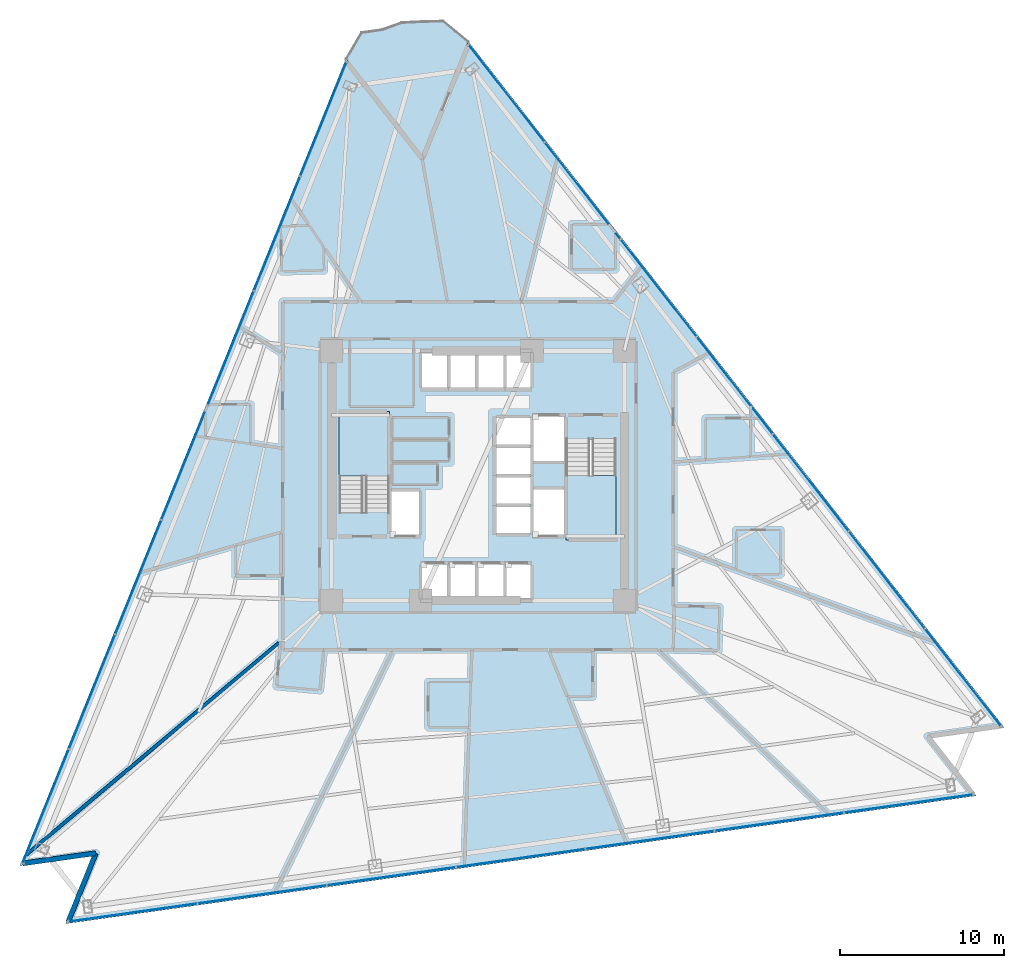
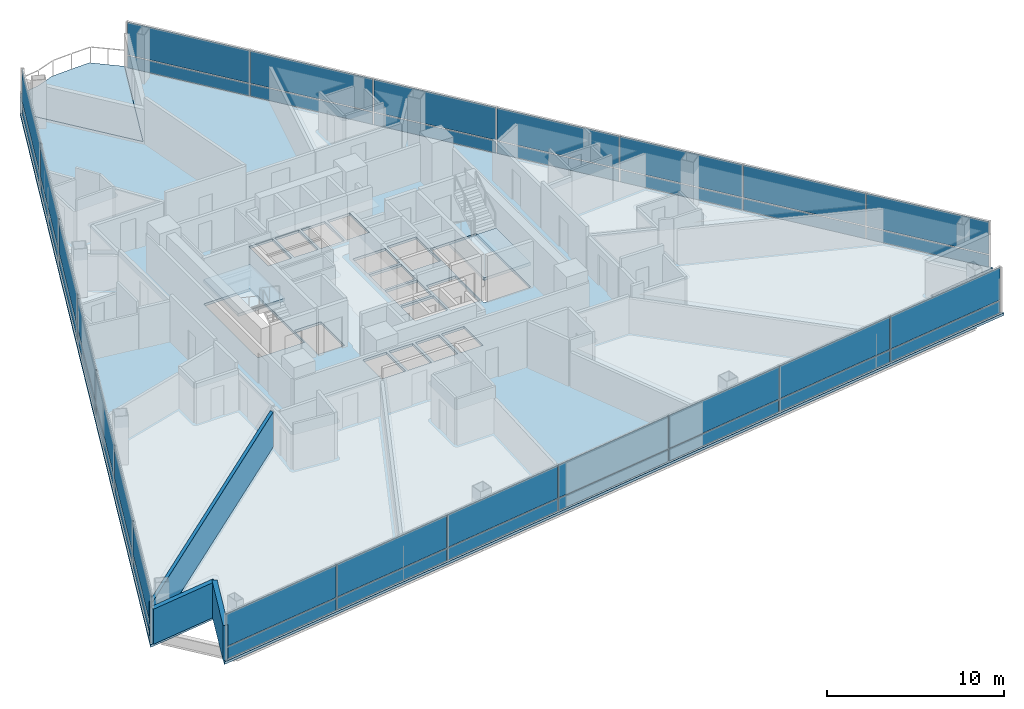
# One storey, part 6 of 15: 42 plates, 4 slabs, 3 walls, 5 elements without a shape of their own.
"""IFC4 building model written with IfcOpenShell, lengths in metres."""

from ifc_helpers import new_model, si_unit, direction, frame, frame_2d, origin, origin_2d, place, context, subcontext, project, spatial, polyline, rectangle, outline, extrude, material, layer, layer_set, type_object, element, aggregate, save


model = new_model("IFC4")

# Units and contexts
model_context = context("Model", 3, precision=1e-05, world=origin(), true_north=direction((0.0, 1.0)))
body_context = subcontext(model_context, "Body", "Model", "MODEL_VIEW")
ifc_project = project(units=[si_unit("LENGTHUNIT", "METRE"), si_unit("AREAUNIT", "SQUARE_METRE"), si_unit("VOLUMEUNIT", "CUBIC_METRE"), si_unit("PLANEANGLEUNIT", "RADIAN"), si_unit("MASSUNIT", "GRAM", prefix="KILO")], contexts=[model_context])

# Site, building, storey
site_placement = place(None, origin())
site = spatial("IfcSite", under=ifc_project, at=site_placement, CompositionType="ELEMENT")
building_placement = place(site_placement, origin())
building = spatial("IfcBuilding", under=site, at=building_placement, Name="Tharavind Bronze Gate", CompositionType="ELEMENT")
storey_placement = place(building_placement, frame((0.0, 0.0, 60.449951171875)))
storey = spatial("IfcBuildingStorey", under=building, at=storey_placement, Name="L14", CompositionType="ELEMENT", Elevation=60.449951171875)

# Curtain wall, plates
ifc_material_1 = material(Name="Anodised Bronze Aluminium", Category="aluminium")
ifc_layer_1 = layer(ifc_material_1, 0.219970703125)
ifc_layer_set_1 = layer_set([ifc_layer_1], Name="Anodised Bronze Aluminium")
curtain_wall_type = type_object("IfcCurtainWallType", Name="UNITISED CURTAIN WALL HOTEL", PredefinedType="USERDEFINED", material=ifc_layer_set_1)
curtain_wall_1_placement = place(storey_placement, origin())
curtain_wall_1 = element("IfcCurtainWall", 1, at=curtain_wall_1_placement, inside=storey, type_object=curtain_wall_type, Name="L14 unitised curtain wall hotel CW-L14-S1", ObjectType="UNITISED CURTAIN WALL", PredefinedType="USERDEFINED")
ifc_material_2 = material(Name="Patinated Bronze Alloy Sheet", Category="bronze")
ifc_layer_2 = layer(ifc_material_2, 0.01611328125)
ifc_layer_set_2 = layer_set([ifc_layer_2], Name="Patinated Bronze Alloy Sheet")
plate_type_1 = type_object("IfcPlateType", Name="BRONZE SPANDREL CLADDING PANEL 16", PredefinedType="CURTAIN_PANEL", material=ifc_layer_set_2)
plate_1_placement = place(storey_placement, frame((-9.408203125, 21.69921875, 0.033935546875), z_axis=(0.0, 0.0, 1.0), x_axis=(-0.374606593416, -0.927183854567, 0.0)))
plate_1 = element("IfcPlate", 2, at=plate_1_placement, type_object=plate_type_1, Name="CW-L14-S1 bronze spandrel panel 1", PredefinedType="CURTAIN_PANEL", context=body_context, shape_type="SweptSolid", body=[
    extrude(rectangle(XDim=7.447021484375, YDim=0.01611328125, at=origin_2d()), origin(), (0.0, 0.0, 1.0), 0.83203125),
])
plate_2_placement = place(storey_placement, frame((-12.223388671875, 14.731201171875, 0.033935546875), z_axis=(0.0, 0.0, 1.0), x_axis=(-0.374606593416, -0.927183854567, 0.0)))
plate_2 = element("IfcPlate", 3, at=plate_2_placement, type_object=plate_type_1, Name="CW-L14-S1 bronze spandrel panel 2", PredefinedType="CURTAIN_PANEL", context=body_context, shape_type="SweptSolid", body=[
    extrude(rectangle(XDim=7.447021484375, YDim=0.01611328125, at=origin_2d()), origin(), (0.0, 0.0, 1.0), 0.83203125),
])
plate_3_placement = place(storey_placement, frame((-15.038818359375, 7.763427734375, 0.033935546875), z_axis=(0.0, 0.0, 1.0), x_axis=(-0.374606593416, -0.927183854567, 0.0)))
plate_3 = element("IfcPlate", 4, at=plate_3_placement, type_object=plate_type_1, Name="CW-L14-S1 bronze spandrel panel 3", PredefinedType="CURTAIN_PANEL", context=body_context, shape_type="SweptSolid", body=[
    extrude(rectangle(XDim=7.447021484375, YDim=0.01611328125, at=origin_2d()), origin(), (0.0, 0.0, 1.0), 0.83203125),
])
plate_4_placement = place(storey_placement, frame((-17.85400390625, 0.795654296875, 0.033935546875), z_axis=(0.0, 0.0, 1.0), x_axis=(-0.374606593416, -0.927183854567, 0.0)))
plate_4 = element("IfcPlate", 5, at=plate_4_placement, type_object=plate_type_1, Name="CW-L14-S1 bronze spandrel panel 4", PredefinedType="CURTAIN_PANEL", context=body_context, shape_type="SweptSolid", body=[
    extrude(rectangle(XDim=7.447021484375, YDim=0.01611328125, at=origin_2d()), origin(), (0.0, 0.0, 1.0), 0.83203125),
])
plate_5_placement = place(storey_placement, frame((-20.669189453125, -6.17236328125, 0.033935546875), z_axis=(0.0, 0.0, 1.0), x_axis=(-0.374606593416, -0.927183854567, 0.0)))
plate_5 = element("IfcPlate", 6, at=plate_5_placement, type_object=plate_type_1, Name="CW-L14-S1 bronze spandrel panel 5", PredefinedType="CURTAIN_PANEL", context=body_context, shape_type="SweptSolid", body=[
    extrude(rectangle(XDim=7.447021484375, YDim=0.01611328125, at=origin_2d()), origin(), (0.0, 0.0, 1.0), 0.83203125),
])
plate_6_placement = place(storey_placement, frame((-23.484375, -13.14013671875, 0.033935546875), z_axis=(0.0, 0.0, 1.0), x_axis=(-0.374606593416, -0.927183854567, 0.0)))
plate_6 = element("IfcPlate", 7, at=plate_6_placement, type_object=plate_type_1, Name="CW-L14-S1 bronze spandrel panel 6", PredefinedType="CURTAIN_PANEL", context=body_context, shape_type="SweptSolid", body=[
    extrude(rectangle(XDim=7.447021484375, YDim=0.01611328125, at=origin_2d()), origin(), (0.0, 0.0, 1.0), 0.83203125),
])
plate_7_placement = place(storey_placement, frame((-26.299560546875, -20.10791015625, 0.033935546875), z_axis=(0.0, 0.0, 1.0), x_axis=(-0.374606593416, -0.927183854567, 0.0)))
plate_7 = element("IfcPlate", 8, at=plate_7_placement, type_object=plate_type_1, Name="CW-L14-S1 bronze spandrel panel 7", PredefinedType="CURTAIN_PANEL", context=body_context, shape_type="SweptSolid", body=[
    extrude(rectangle(XDim=7.447021484375, YDim=0.01611328125, at=origin_2d()), origin(), (0.0, 0.0, 1.0), 0.83203125),
])

curtain_wall_2_placement = place(storey_placement, origin())
curtain_wall_2 = element("IfcCurtainWall", 9, at=curtain_wall_2_placement, inside=storey, type_object=curtain_wall_type, Name="L14 unitised curtain wall hotel CW-L14-S2", ObjectType="UNITISED CURTAIN WALL", PredefinedType="USERDEFINED")
plate_8_placement = place(storey_placement, frame((-21.00341796875, -26.585205078125, 0.033935546875), z_axis=(0.0, 0.0, 1.0), x_axis=(0.990268068742, 0.13917310096, 0.0)))
plate_8 = element("IfcPlate", 10, at=plate_8_placement, type_object=plate_type_1, Name="CW-L14-S2 bronze spandrel panel 1", PredefinedType="CURTAIN_PANEL", context=body_context, shape_type="SweptSolid", body=[
    extrude(rectangle(XDim=7.87548828125, YDim=0.01611328125, at=origin_2d()), origin(), (0.0, 0.0, 1.0), 0.83203125),
])
plate_9_placement = place(storey_placement, frame((-13.13720703125, -25.4794921875, 0.033935546875), z_axis=(0.0, 0.0, 1.0), x_axis=(0.990268068742, 0.13917310096, 0.0)))
plate_9 = element("IfcPlate", 11, at=plate_9_placement, type_object=plate_type_1, Name="CW-L14-S2 bronze spandrel panel 2", PredefinedType="CURTAIN_PANEL", context=body_context, shape_type="SweptSolid", body=[
    extrude(rectangle(XDim=7.87548828125, YDim=0.01611328125, at=origin_2d()), origin(), (0.0, 0.0, 1.0), 0.83203125),
])
plate_10_placement = place(storey_placement, frame((-5.270751953125, -24.3740234375, 0.033935546875), z_axis=(0.0, 0.0, 1.0), x_axis=(0.990268068742, 0.13917310096, 0.0)))
plate_10 = element("IfcPlate", 12, at=plate_10_placement, type_object=plate_type_1, Name="CW-L14-S2 bronze spandrel panel 3", PredefinedType="CURTAIN_PANEL", context=body_context, shape_type="SweptSolid", body=[
    extrude(rectangle(XDim=7.87548828125, YDim=0.01611328125, at=origin_2d()), origin(), (0.0, 0.0, 1.0), 0.83203125),
])
plate_11_placement = place(storey_placement, frame((2.595703125, -23.2685546875, 0.033935546875), z_axis=(0.0, 0.0, 1.0), x_axis=(0.990268068742, 0.13917310096, 0.0)))
plate_11 = element("IfcPlate", 13, at=plate_11_placement, type_object=plate_type_1, Name="CW-L14-S2 bronze spandrel panel 4", PredefinedType="CURTAIN_PANEL", context=body_context, shape_type="SweptSolid", body=[
    extrude(rectangle(XDim=7.87548828125, YDim=0.01611328125, at=origin_2d()), origin(), (0.0, 0.0, 1.0), 0.83203125),
])
plate_12_placement = place(storey_placement, frame((10.4619140625, -22.1630859375, 0.033935546875), z_axis=(0.0, 0.0, 1.0), x_axis=(0.990268068742, 0.13917310096, 0.0)))
plate_12 = element("IfcPlate", 14, at=plate_12_placement, type_object=plate_type_1, Name="CW-L14-S2 bronze spandrel panel 5", PredefinedType="CURTAIN_PANEL", context=body_context, shape_type="SweptSolid", body=[
    extrude(rectangle(XDim=7.87548828125, YDim=0.01611328125, at=origin_2d()), origin(), (0.0, 0.0, 1.0), 0.83203125),
])
plate_13_placement = place(storey_placement, frame((18.328369140625, -21.057373046875, 0.033935546875), z_axis=(0.0, 0.0, 1.0), x_axis=(0.990268068742, 0.13917310096, 0.0)))
plate_13 = element("IfcPlate", 15, at=plate_13_placement, type_object=plate_type_1, Name="CW-L14-S2 bronze spandrel panel 6", PredefinedType="CURTAIN_PANEL", context=body_context, shape_type="SweptSolid", body=[
    extrude(rectangle(XDim=7.87548828125, YDim=0.01611328125, at=origin_2d()), origin(), (0.0, 0.0, 1.0), 0.83203125),
])
plate_14_placement = place(storey_placement, frame((26.194580078125, -19.951904296875, 0.033935546875), z_axis=(0.0, 0.0, 1.0), x_axis=(0.990268068742, 0.13917310096, 0.0)))
plate_14 = element("IfcPlate", 16, at=plate_14_placement, type_object=plate_type_1, Name="CW-L14-S2 bronze spandrel panel 7", PredefinedType="CURTAIN_PANEL", context=body_context, shape_type="SweptSolid", body=[
    extrude(rectangle(XDim=7.87548828125, YDim=0.01611328125, at=origin_2d()), origin(), (0.0, 0.0, 1.0), 0.83203125),
])

curtain_wall_3_placement = place(storey_placement, origin())
curtain_wall_3 = element("IfcCurtainWall", 17, at=curtain_wall_3_placement, inside=storey, type_object=curtain_wall_type, Name="L14 unitised curtain wall hotel CW-L14-S3", ObjectType="UNITISED CURTAIN WALL", PredefinedType="USERDEFINED")
plate_15_placement = place(storey_placement, frame((29.5, -12.265869140625, 0.033935546875), z_axis=(0.0, 0.0, 1.0), x_axis=(-0.615661475326, 0.788010753607, 0.0)))
plate_15 = element("IfcPlate", 18, at=plate_15_placement, type_object=plate_type_1, Name="CW-L14-S3 bronze spandrel panel 1", PredefinedType="CURTAIN_PANEL", context=body_context, shape_type="SweptSolid", body=[
    extrude(rectangle(XDim=7.447021484375, YDim=0.01611328125, at=origin_2d()), origin(), (0.0, 0.0, 1.0), 0.83203125),
])
plate_16_placement = place(storey_placement, frame((24.873291015625, -6.343994140625, 0.033935546875), z_axis=(0.0, 0.0, 1.0), x_axis=(-0.615661475326, 0.788010753607, 0.0)))
plate_16 = element("IfcPlate", 19, at=plate_16_placement, type_object=plate_type_1, Name="CW-L14-S3 bronze spandrel panel 2", PredefinedType="CURTAIN_PANEL", context=body_context, shape_type="SweptSolid", body=[
    extrude(rectangle(XDim=7.447021484375, YDim=0.01611328125, at=origin_2d()), origin(), (0.0, 0.0, 1.0), 0.83203125),
])
plate_17_placement = place(storey_placement, frame((20.24658203125, -0.421875, 0.033935546875), z_axis=(0.0, 0.0, 1.0), x_axis=(-0.615661475326, 0.788010753607, 0.0)))
plate_17 = element("IfcPlate", 20, at=plate_17_placement, type_object=plate_type_1, Name="CW-L14-S3 bronze spandrel panel 3", PredefinedType="CURTAIN_PANEL", context=body_context, shape_type="SweptSolid", body=[
    extrude(rectangle(XDim=7.447021484375, YDim=0.01611328125, at=origin_2d()), origin(), (0.0, 0.0, 1.0), 0.83203125),
])
plate_18_placement = place(storey_placement, frame((15.619873046875, 5.5, 0.033935546875), z_axis=(0.0, 0.0, 1.0), x_axis=(-0.615661475326, 0.788010753607, 0.0)))
plate_18 = element("IfcPlate", 21, at=plate_18_placement, type_object=plate_type_1, Name="CW-L14-S3 bronze spandrel panel 4", PredefinedType="CURTAIN_PANEL", context=body_context, shape_type="SweptSolid", body=[
    extrude(rectangle(XDim=7.447021484375, YDim=0.01611328125, at=origin_2d()), origin(), (0.0, 0.0, 1.0), 0.83203125),
])
plate_19_placement = place(storey_placement, frame((10.9931640625, 11.422119140625, 0.033935546875), z_axis=(0.0, 0.0, 1.0), x_axis=(-0.615661475326, 0.788010753607, 0.0)))
plate_19 = element("IfcPlate", 22, at=plate_19_placement, type_object=plate_type_1, Name="CW-L14-S3 bronze spandrel panel 5", PredefinedType="CURTAIN_PANEL", context=body_context, shape_type="SweptSolid", body=[
    extrude(rectangle(XDim=7.447021484375, YDim=0.01611328125, at=origin_2d()), origin(), (0.0, 0.0, 1.0), 0.83203125),
])
plate_20_placement = place(storey_placement, frame((6.366455078125, 17.343994140625, 0.033935546875), z_axis=(0.0, 0.0, 1.0), x_axis=(-0.615661475326, 0.788010753607, 0.0)))
plate_20 = element("IfcPlate", 23, at=plate_20_placement, type_object=plate_type_1, Name="CW-L14-S3 bronze spandrel panel 6", PredefinedType="CURTAIN_PANEL", context=body_context, shape_type="SweptSolid", body=[
    extrude(rectangle(XDim=7.447021484375, YDim=0.01611328125, at=origin_2d()), origin(), (0.0, 0.0, 1.0), 0.83203125),
])
plate_21_placement = place(storey_placement, frame((1.73974609375, 23.265869140625, 0.033935546875), z_axis=(0.0, 0.0, 1.0), x_axis=(-0.615661475326, 0.788010753607, 0.0)))
plate_21 = element("IfcPlate", 24, at=plate_21_placement, type_object=plate_type_1, Name="CW-L14-S3 bronze spandrel panel 7", PredefinedType="CURTAIN_PANEL", context=body_context, shape_type="SweptSolid", body=[
    extrude(rectangle(XDim=7.447021484375, YDim=0.01611328125, at=origin_2d()), origin(), (0.0, 0.0, 1.0), 0.83203125),
])

# Plate
ifc_material_3 = material(Name="Low-E Double Glazing", Category="glass")
ifc_layer_3 = layer(ifc_material_3, 0.031982421875)
ifc_layer_set_3 = layer_set([ifc_layer_3], Name="Low-E Double Glazing")
plate_type_2 = type_object("IfcPlateType", Name="DOUBLE GLAZED FACADE PANEL 32", PredefinedType="CURTAIN_PANEL", material=ifc_layer_set_3)
plate_22_placement = place(storey_placement, frame((-9.408203125, 21.69921875, 0.93408203125), z_axis=(0.0, 0.0, 1.0), x_axis=(-0.374606593416, -0.927183854567, 0.0)))
plate_22 = element("IfcPlate", 25, at=plate_22_placement, type_object=plate_type_2, Name="CW-L14-S1 vision glazing panel 1", PredefinedType="CURTAIN_PANEL", context=body_context, shape_type="SweptSolid", body=[
    extrude(rectangle(XDim=7.447021484375, YDim=0.031982421875, at=origin_2d()), origin(), (0.0, 0.0, 1.0), 2.257080078125),
])

plate_23_placement = place(storey_placement, frame((-12.223388671875, 14.731201171875, 0.93408203125), z_axis=(0.0, 0.0, 1.0), x_axis=(-0.374606593416, -0.927183854567, 0.0)))
plate_23 = element("IfcPlate", 26, at=plate_23_placement, type_object=plate_type_2, Name="CW-L14-S1 vision glazing panel 2", PredefinedType="CURTAIN_PANEL", context=body_context, shape_type="SweptSolid", body=[
    extrude(rectangle(XDim=7.447021484375, YDim=0.031982421875, at=origin_2d()), origin(), (0.0, 0.0, 1.0), 2.257080078125),
])

plate_24_placement = place(storey_placement, frame((-15.038818359375, 7.763427734375, 0.93408203125), z_axis=(0.0, 0.0, 1.0), x_axis=(-0.374606593416, -0.927183854567, 0.0)))
plate_24 = element("IfcPlate", 27, at=plate_24_placement, type_object=plate_type_2, Name="CW-L14-S1 vision glazing panel 3", PredefinedType="CURTAIN_PANEL", context=body_context, shape_type="SweptSolid", body=[
    extrude(rectangle(XDim=7.447021484375, YDim=0.031982421875, at=origin_2d()), origin(), (0.0, 0.0, 1.0), 2.257080078125),
])

plate_25_placement = place(storey_placement, frame((-17.85400390625, 0.795654296875, 0.93408203125), z_axis=(0.0, 0.0, 1.0), x_axis=(-0.374606593416, -0.927183854567, 0.0)))
plate_25 = element("IfcPlate", 28, at=plate_25_placement, type_object=plate_type_2, Name="CW-L14-S1 vision glazing panel 4", PredefinedType="CURTAIN_PANEL", context=body_context, shape_type="SweptSolid", body=[
    extrude(rectangle(XDim=7.447021484375, YDim=0.031982421875, at=origin_2d()), origin(), (0.0, 0.0, 1.0), 2.257080078125),
])

plate_26_placement = place(storey_placement, frame((-20.669189453125, -6.17236328125, 0.93408203125), z_axis=(0.0, 0.0, 1.0), x_axis=(-0.374606593416, -0.927183854567, 0.0)))
plate_26 = element("IfcPlate", 29, at=plate_26_placement, type_object=plate_type_2, Name="CW-L14-S1 vision glazing panel 5", PredefinedType="CURTAIN_PANEL", context=body_context, shape_type="SweptSolid", body=[
    extrude(rectangle(XDim=7.447021484375, YDim=0.031982421875, at=origin_2d()), origin(), (0.0, 0.0, 1.0), 2.257080078125),
])

plate_27_placement = place(storey_placement, frame((-23.484375, -13.14013671875, 0.93408203125), z_axis=(0.0, 0.0, 1.0), x_axis=(-0.374606593416, -0.927183854567, 0.0)))
plate_27 = element("IfcPlate", 30, at=plate_27_placement, type_object=plate_type_2, Name="CW-L14-S1 vision glazing panel 6", PredefinedType="CURTAIN_PANEL", context=body_context, shape_type="SweptSolid", body=[
    extrude(rectangle(XDim=7.447021484375, YDim=0.031982421875, at=origin_2d()), origin(), (0.0, 0.0, 1.0), 2.257080078125),
])

plate_28_placement = place(storey_placement, frame((-26.299560546875, -20.10791015625, 0.93408203125), z_axis=(0.0, 0.0, 1.0), x_axis=(-0.374606593416, -0.927183854567, 0.0)))
plate_28 = element("IfcPlate", 31, at=plate_28_placement, type_object=plate_type_2, Name="CW-L14-S1 vision glazing panel 7", PredefinedType="CURTAIN_PANEL", context=body_context, shape_type="SweptSolid", body=[
    extrude(rectangle(XDim=7.447021484375, YDim=0.031982421875, at=origin_2d()), origin(), (0.0, 0.0, 1.0), 2.257080078125),
])

aggregate(curtain_wall_1, [plate_1, plate_22, plate_2, plate_23, plate_3, plate_24, plate_4, plate_25, plate_5, plate_26, plate_6, plate_27, plate_7, plate_28])

plate_29_placement = place(storey_placement, frame((-21.00341796875, -26.585205078125, 0.93408203125), z_axis=(0.0, 0.0, 1.0), x_axis=(0.990268068742, 0.13917310096, 0.0)))
plate_29 = element("IfcPlate", 32, at=plate_29_placement, type_object=plate_type_2, Name="CW-L14-S2 vision glazing panel 1", PredefinedType="CURTAIN_PANEL", context=body_context, shape_type="SweptSolid", body=[
    extrude(rectangle(XDim=7.87548828125, YDim=0.031982421875, at=origin_2d()), origin(), (0.0, 0.0, 1.0), 2.257080078125),
])

plate_30_placement = place(storey_placement, frame((-13.13720703125, -25.4794921875, 0.93408203125), z_axis=(0.0, 0.0, 1.0), x_axis=(0.990268068742, 0.13917310096, 0.0)))
plate_30 = element("IfcPlate", 33, at=plate_30_placement, type_object=plate_type_2, Name="CW-L14-S2 vision glazing panel 2", PredefinedType="CURTAIN_PANEL", context=body_context, shape_type="SweptSolid", body=[
    extrude(rectangle(XDim=7.87548828125, YDim=0.031982421875, at=origin_2d()), origin(), (0.0, 0.0, 1.0), 2.257080078125),
])

plate_31_placement = place(storey_placement, frame((-5.270751953125, -24.3740234375, 0.93408203125), z_axis=(0.0, 0.0, 1.0), x_axis=(0.990268068742, 0.13917310096, 0.0)))
plate_31 = element("IfcPlate", 34, at=plate_31_placement, type_object=plate_type_2, Name="CW-L14-S2 vision glazing panel 3", PredefinedType="CURTAIN_PANEL", context=body_context, shape_type="SweptSolid", body=[
    extrude(rectangle(XDim=7.87548828125, YDim=0.031982421875, at=origin_2d()), origin(), (0.0, 0.0, 1.0), 2.257080078125),
])

plate_32_placement = place(storey_placement, frame((2.595703125, -23.2685546875, 0.93408203125), z_axis=(0.0, 0.0, 1.0), x_axis=(0.990268068742, 0.13917310096, 0.0)))
plate_32 = element("IfcPlate", 35, at=plate_32_placement, type_object=plate_type_2, Name="CW-L14-S2 vision glazing panel 4", PredefinedType="CURTAIN_PANEL", context=body_context, shape_type="SweptSolid", body=[
    extrude(rectangle(XDim=7.87548828125, YDim=0.031982421875, at=origin_2d()), origin(), (0.0, 0.0, 1.0), 2.257080078125),
])

plate_33_placement = place(storey_placement, frame((10.4619140625, -22.1630859375, 0.93408203125), z_axis=(0.0, 0.0, 1.0), x_axis=(0.990268068742, 0.13917310096, 0.0)))
plate_33 = element("IfcPlate", 36, at=plate_33_placement, type_object=plate_type_2, Name="CW-L14-S2 vision glazing panel 5", PredefinedType="CURTAIN_PANEL", context=body_context, shape_type="SweptSolid", body=[
    extrude(rectangle(XDim=7.87548828125, YDim=0.031982421875, at=origin_2d()), origin(), (0.0, 0.0, 1.0), 2.257080078125),
])

plate_34_placement = place(storey_placement, frame((18.328369140625, -21.057373046875, 0.93408203125), z_axis=(0.0, 0.0, 1.0), x_axis=(0.990268068742, 0.13917310096, 0.0)))
plate_34 = element("IfcPlate", 37, at=plate_34_placement, type_object=plate_type_2, Name="CW-L14-S2 vision glazing panel 6", PredefinedType="CURTAIN_PANEL", context=body_context, shape_type="SweptSolid", body=[
    extrude(rectangle(XDim=7.87548828125, YDim=0.031982421875, at=origin_2d()), origin(), (0.0, 0.0, 1.0), 2.257080078125),
])

plate_35_placement = place(storey_placement, frame((26.194580078125, -19.951904296875, 0.93408203125), z_axis=(0.0, 0.0, 1.0), x_axis=(0.990268068742, 0.13917310096, 0.0)))
plate_35 = element("IfcPlate", 38, at=plate_35_placement, type_object=plate_type_2, Name="CW-L14-S2 vision glazing panel 7", PredefinedType="CURTAIN_PANEL", context=body_context, shape_type="SweptSolid", body=[
    extrude(rectangle(XDim=7.87548828125, YDim=0.031982421875, at=origin_2d()), origin(), (0.0, 0.0, 1.0), 2.257080078125),
])

aggregate(curtain_wall_2, [plate_8, plate_29, plate_9, plate_30, plate_10, plate_31, plate_11, plate_32, plate_12, plate_33, plate_13, plate_34, plate_14, plate_35])

plate_36_placement = place(storey_placement, frame((29.5, -12.265869140625, 0.93408203125), z_axis=(0.0, 0.0, 1.0), x_axis=(-0.615661475326, 0.788010753607, 0.0)))
plate_36 = element("IfcPlate", 39, at=plate_36_placement, type_object=plate_type_2, Name="CW-L14-S3 vision glazing panel 1", PredefinedType="CURTAIN_PANEL", context=body_context, shape_type="SweptSolid", body=[
    extrude(rectangle(XDim=7.447021484375, YDim=0.031982421875, at=origin_2d()), origin(), (0.0, 0.0, 1.0), 2.257080078125),
])

plate_37_placement = place(storey_placement, frame((24.873291015625, -6.343994140625, 0.93408203125), z_axis=(0.0, 0.0, 1.0), x_axis=(-0.615661475326, 0.788010753607, 0.0)))
plate_37 = element("IfcPlate", 40, at=plate_37_placement, type_object=plate_type_2, Name="CW-L14-S3 vision glazing panel 2", PredefinedType="CURTAIN_PANEL", context=body_context, shape_type="SweptSolid", body=[
    extrude(rectangle(XDim=7.447021484375, YDim=0.031982421875, at=origin_2d()), origin(), (0.0, 0.0, 1.0), 2.257080078125),
])

plate_38_placement = place(storey_placement, frame((20.24658203125, -0.421875, 0.93408203125), z_axis=(0.0, 0.0, 1.0), x_axis=(-0.615661475326, 0.788010753607, 0.0)))
plate_38 = element("IfcPlate", 41, at=plate_38_placement, type_object=plate_type_2, Name="CW-L14-S3 vision glazing panel 3", PredefinedType="CURTAIN_PANEL", context=body_context, shape_type="SweptSolid", body=[
    extrude(rectangle(XDim=7.447021484375, YDim=0.031982421875, at=origin_2d()), origin(), (0.0, 0.0, 1.0), 2.257080078125),
])

plate_39_placement = place(storey_placement, frame((15.619873046875, 5.5, 0.93408203125), z_axis=(0.0, 0.0, 1.0), x_axis=(-0.615661475326, 0.788010753607, 0.0)))
plate_39 = element("IfcPlate", 42, at=plate_39_placement, type_object=plate_type_2, Name="CW-L14-S3 vision glazing panel 4", PredefinedType="CURTAIN_PANEL", context=body_context, shape_type="SweptSolid", body=[
    extrude(rectangle(XDim=7.447021484375, YDim=0.031982421875, at=origin_2d()), origin(), (0.0, 0.0, 1.0), 2.257080078125),
])

plate_40_placement = place(storey_placement, frame((10.9931640625, 11.422119140625, 0.93408203125), z_axis=(0.0, 0.0, 1.0), x_axis=(-0.615661475326, 0.788010753607, 0.0)))
plate_40 = element("IfcPlate", 43, at=plate_40_placement, type_object=plate_type_2, Name="CW-L14-S3 vision glazing panel 5", PredefinedType="CURTAIN_PANEL", context=body_context, shape_type="SweptSolid", body=[
    extrude(rectangle(XDim=7.447021484375, YDim=0.031982421875, at=origin_2d()), origin(), (0.0, 0.0, 1.0), 2.257080078125),
])

plate_41_placement = place(storey_placement, frame((6.366455078125, 17.343994140625, 0.93408203125), z_axis=(0.0, 0.0, 1.0), x_axis=(-0.615661475326, 0.788010753607, 0.0)))
plate_41 = element("IfcPlate", 44, at=plate_41_placement, type_object=plate_type_2, Name="CW-L14-S3 vision glazing panel 6", PredefinedType="CURTAIN_PANEL", context=body_context, shape_type="SweptSolid", body=[
    extrude(rectangle(XDim=7.447021484375, YDim=0.031982421875, at=origin_2d()), origin(), (0.0, 0.0, 1.0), 2.257080078125),
])

plate_42_placement = place(storey_placement, frame((1.73974609375, 23.265869140625, 0.93408203125), z_axis=(0.0, 0.0, 1.0), x_axis=(-0.615661475326, 0.788010753607, 0.0)))
plate_42 = element("IfcPlate", 45, at=plate_42_placement, type_object=plate_type_2, Name="CW-L14-S3 vision glazing panel 7", PredefinedType="CURTAIN_PANEL", context=body_context, shape_type="SweptSolid", body=[
    extrude(rectangle(XDim=7.447021484375, YDim=0.031982421875, at=origin_2d()), origin(), (0.0, 0.0, 1.0), 2.257080078125),
])

aggregate(curtain_wall_3, [plate_15, plate_36, plate_16, plate_37, plate_17, plate_38, plate_18, plate_39, plate_19, plate_40, plate_20, plate_41, plate_21, plate_42])

# Slab
ifc_material_4 = material(Name="Concrete C40/50", Category="concrete")
ifc_layer_4 = layer(ifc_material_4, 0.175048828125)
ifc_layer_set_4 = layer_set([ifc_layer_4], Name="Concrete C40/50")
slab_type_1 = type_object("IfcSlabType", Name="EXTERIOR BALCONY SLAB 175", PredefinedType="FLOOR", material=ifc_layer_set_4)
slab_1_placement = place(storey_placement, frame((0.0, 0.0, -0.175048828125)))
element("IfcSlab", 46, at=slab_1_placement, inside=storey, type_object=slab_type_1, Name="L14 northeast tree balcony slab", PredefinedType="FLOOR", context=body_context, shape_type="SweptSolid", body=[
    extrude(outline(polyline([(-2.13671875, 27.72412109375), (-3.39501953125, 27.6962890625), (-4.648681640625, 27.6337890625), (-5.85009765625, 27.2021484375), (-7.088134765625, 27.028076171875), (-8.028564453125, 25.381103515625), (-3.4111328125, 19.47119140625), (-0.6015625, 26.425048828125), (-2.13671875, 27.72412109375)])), origin(), (0.0, 0.0, 1.0), 0.175048828125),
])

# Stair, slab
stair_type = type_object("IfcStairType", Name="CORE HALF TURN STAIR 1450", PredefinedType="HALF_TURN_STAIR", material=ifc_material_4)
stair_1_placement = place(storey_placement, origin())
stair_1 = element("IfcStair", 47, at=stair_1_placement, inside=storey, type_object=stair_type, Name="L14 Protected Exit Stair ST1", PredefinedType="HALF_TURN_STAIR")
ifc_layer_5 = layer(ifc_material_4, 0.199951171875)
ifc_layer_set_5 = layer_set([ifc_layer_5], Name="Concrete C40/50")
slab_type_2 = type_object("IfcSlabType", Name="STAIR LANDING SLAB 200", PredefinedType="LANDING", material=ifc_layer_set_5)
slab_2_placement = place(storey_placement, frame((0.0, 0.0, 1.5)))
slab_2 = element("IfcSlab", 48, at=slab_2_placement, type_object=slab_type_2, Name="ST1 landing 1", PredefinedType="LANDING", context=body_context, shape_type="SweptSolid", body=[
    extrude(outline(polyline([(-5.39990234375, -0.010009765625), (-5.39990234375, 3.89990234375), (-8.449951171875, 3.89990234375), (-8.449951171875, -0.010009765625), (-5.39990234375, -0.010009765625)])), origin(), (0.0, 0.0, 1.0), 0.199951171875),
])
aggregate(stair_1, [slab_2])

stair_2_placement = place(storey_placement, origin())
stair_2 = element("IfcStair", 49, at=stair_2_placement, inside=storey, type_object=stair_type, Name="L14 Protected Exit Stair ST2", PredefinedType="HALF_TURN_STAIR")
slab_3_placement = place(storey_placement, frame((0.0, 0.0, 1.5)))
slab_3 = element("IfcSlab", 50, at=slab_3_placement, type_object=slab_type_2, Name="ST2 landing 1", PredefinedType="LANDING", context=body_context, shape_type="SweptSolid", body=[
    extrude(outline(polyline([(5.35009765625, 0.010009765625), (5.35009765625, -3.89990234375), (8.39990234375, -3.89990234375), (8.39990234375, 0.010009765625), (5.35009765625, 0.010009765625)])), origin(), (0.0, 0.0, 1.0), 0.199951171875),
])
aggregate(stair_2, [slab_3])

# Slab
ifc_layer_6 = layer(ifc_material_4, 0.175048828125)
ifc_layer_set_6 = layer_set([ifc_layer_6], Name="Concrete C40/50")
slab_type_3 = type_object("IfcSlabType", Name="STRUCTURAL FLOOR SLAB 175", PredefinedType="FLOOR", material=ifc_layer_set_6)
slab_4_placement = place(storey_placement, frame((0.0, 0.0, -0.175048828125)))
element("IfcSlab", 51, at=slab_4_placement, inside=storey, type_object=slab_type_3, Name="L14 main structural floor slab", PredefinedType="FLOOR", context=body_context, shape_type="SweptSolid", body=[
    extrude(outline(polyline([(-0.6015625, 26.425048828125), (-3.4111328125, 19.47119140625), (-8.028564453125, 25.381103515625), (-27.86474609375, -23.715087890625), (-23.408447265625, -23.088623046875), (-25.09423828125, -27.260986328125), (30.313232421875, -19.47412109375), (27.542724609375, -15.927978515625), (31.998779296875, -15.3017578125), (-0.6015625, 26.425048828125)]), holes=[polyline([(-5.39990234375, -2.215087890625), (-5.39990234375, 3.89990234375), (-8.449951171875, 3.89990234375), (-8.449951171875, -2.215087890625), (-5.39990234375, -2.215087890625)]), polyline([(5.35009765625, 2.215087890625), (5.35009765625, -3.89990234375), (8.39990234375, -3.89990234375), (8.39990234375, 2.215087890625), (5.35009765625, 2.215087890625)]), polyline([(-3.419921875, -7.52001953125), (-1.867431640625, -7.52001953125), (-1.867431640625, -5.3798828125), (-3.419921875, -5.3798828125), (-3.419921875, -7.52001953125)]), polyline([(-1.70751953125, -7.52001953125), (-0.155029296875, -7.52001953125), (-0.155029296875, -5.3798828125), (-1.70751953125, -5.3798828125), (-1.70751953125, -7.52001953125)]), polyline([(0.0048828125, -7.52001953125), (1.5576171875, -7.52001953125), (1.5576171875, -5.3798828125), (0.0048828125, -5.3798828125), (0.0048828125, -7.52001953125)]), polyline([(1.717529296875, -7.52001953125), (3.199951171875, -7.52001953125), (3.199951171875, -5.3798828125), (1.717529296875, -5.3798828125), (1.717529296875, -7.52001953125)]), polyline([(-3.419921875, 5.330078125), (-1.867431640625, 5.330078125), (-1.867431640625, 7.52001953125), (-3.419921875, 7.52001953125), (-3.419921875, 5.330078125)]), polyline([(-1.70751953125, 5.330078125), (-0.155029296875, 5.330078125), (-0.155029296875, 7.52001953125), (-1.70751953125, 7.52001953125), (-1.70751953125, 5.330078125)]), polyline([(0.0048828125, 5.330078125), (1.5576171875, 5.330078125), (1.5576171875, 7.52001953125), (0.0048828125, 7.52001953125), (0.0048828125, 5.330078125)]), polyline([(1.717529296875, 5.330078125), (3.199951171875, 5.330078125), (3.199951171875, 7.52001953125), (1.717529296875, 7.52001953125), (1.717529296875, 5.330078125)]), polyline([(1.080078125, -3.52001953125), (3.199951171875, -3.52001953125), (3.199951171875, -1.8798828125), (1.080078125, -1.8798828125), (1.080078125, -3.52001953125)]), polyline([(1.080078125, -1.719970703125), (3.199951171875, -1.719970703125), (3.199951171875, -0.080078125), (1.080078125, -0.080078125), (1.080078125, -1.719970703125)]), polyline([(1.080078125, 0.080078125), (3.199951171875, 0.080078125), (3.199951171875, 1.719970703125), (1.080078125, 1.719970703125), (1.080078125, 0.080078125)]), polyline([(1.080078125, 1.8798828125), (3.199951171875, 1.8798828125), (3.199951171875, 3.52001953125), (1.080078125, 3.52001953125), (1.080078125, 1.8798828125)]), polyline([(-5.320068359375, -3.6201171875), (-3.580078125, -3.6201171875), (-3.580078125, -0.929931640625), (-5.320068359375, -0.929931640625), (-5.320068359375, -3.6201171875)]), polyline([(3.360107421875, 0.8798828125), (5.27001953125, 0.8798828125), (5.27001953125, 3.6201171875), (3.360107421875, 3.6201171875), (3.360107421875, 0.8798828125)]), polyline([(3.360107421875, -3.6201171875), (5.27001953125, -3.6201171875), (5.27001953125, -0.830078125), (3.360107421875, -0.830078125), (3.360107421875, -3.6201171875)])]), origin(), (0.0, 0.0, 1.0), 0.175048828125),
])

# Walls
ifc_layer_7 = layer(ifc_material_4, 0.300048828125)
ifc_layer_set_7 = layer_set([ifc_layer_7], Name="Concrete C40/50")
wall_type_1 = type_object("IfcWallType", Name="EXTERIOR SPANDREL WALL 300", PredefinedType="STANDARD", material=ifc_layer_set_7)
wall_1_placement = place(storey_placement, frame((-27.70703125, -23.591796875, 0.0), z_axis=(0.0, 0.0, 1.0), x_axis=(0.990269200152, 0.139165050317, 0.0)))
element("IfcWall", 52, at=wall_1_placement, inside=storey, type_object=wall_type_1, Name="L14 notch cheek wall 2A", PredefinedType="STANDARD", context=body_context, shape_type="SweptSolid", body=[
    extrude(rectangle(XDim=4.499755859375, YDim=0.300048828125, at=frame_2d((2.25, 0.0))), origin(), (0.0, 0.0, 1.0), 2.420166015625),
])
wall_2_placement = place(storey_placement, frame((-23.2509765625, -22.965576171875, 0.0), z_axis=(0.0, 0.0, 1.0), x_axis=(-0.374568898324, -0.927199083481, 0.0)))
element("IfcWall", 53, at=wall_2_placement, inside=storey, type_object=wall_type_1, Name="L14 notch cheek wall 2B", PredefinedType="STANDARD", context=body_context, shape_type="SweptSolid", body=[
    extrude(rectangle(XDim=4.5, YDim=0.300048828125, at=frame_2d((2.25, 0.0))), origin(), (0.0, 0.0, 1.0), 2.420166015625),
])
ifc_material_5 = material(Name="Aerated Concrete Block", Category="concrete")
ifc_layer_8 = layer(ifc_material_5, 0.199951171875)
ifc_layer_set_8 = layer_set([ifc_layer_8], Name="Aerated Concrete Block")
wall_type_2 = type_object("IfcWallType", Name="FIRE RATED PARTITION 200", PredefinedType="PARTITIONING", material=ifc_layer_set_8)
wall_3_placement = place(storey_placement, frame((-12.114501953125, -10.165283203125, 0.0), z_axis=(0.0, 0.0, 1.0), x_axis=(-0.766043417398, -0.642788832091, 0.0)))
element("IfcWall", 54, at=wall_3_placement, inside=storey, type_object=wall_type_2, Name="L14 Deluxe Hotel Suite partition", PredefinedType="PARTITIONING", context=body_context, shape_type="SweptSolid", body=[
    extrude(rectangle(XDim=20.081298828125, YDim=0.199951171875, at=frame_2d((10.04052734375, 0.0))), origin(), (0.0, 0.0, 1.0), 2.420166015625),
])

save(model, "model.ifc")
